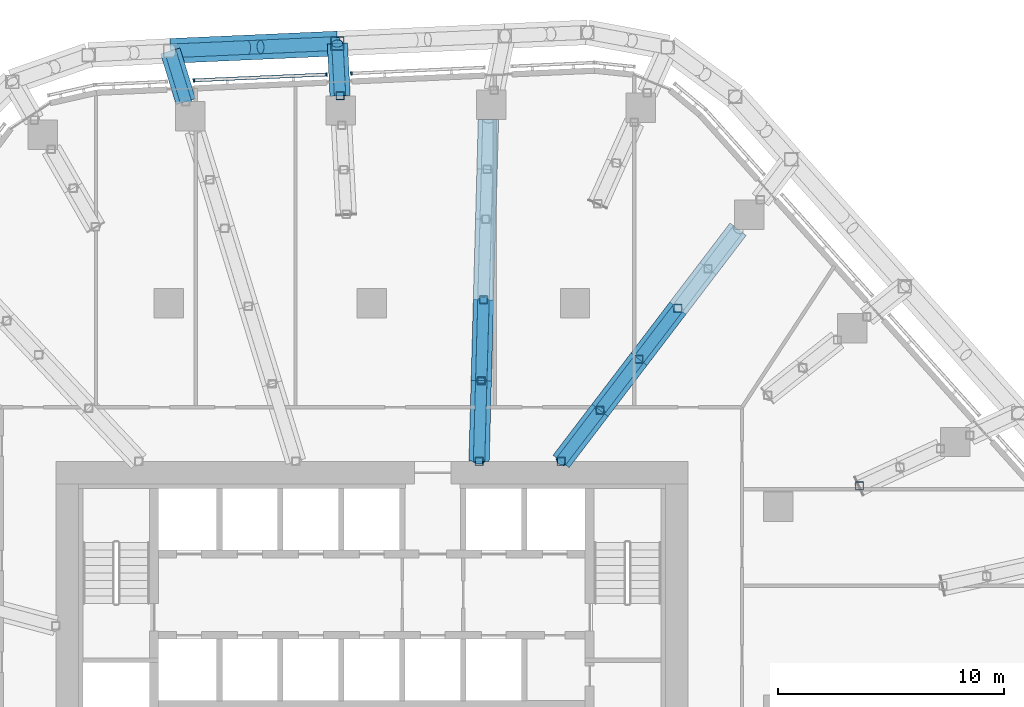
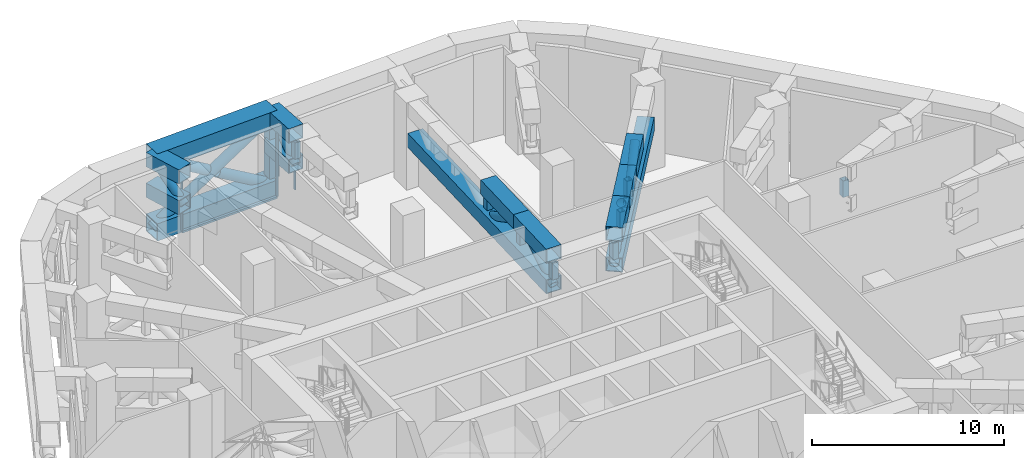
# One storey, part 11 of 30: 37 members, 1 element without a shape of its own.
"""IFC4 building model written with IfcOpenShell, lengths in metres."""

from ifc_helpers import new_model, si_unit, direction, frame, origin, origin_2d, place, context, subcontext, project, spatial, rectangle, hollow_rectangle, hollow_circle, extrude, material, layer, layer_set, material_profile, profile_set, type_object, element, aggregate, save


model = new_model("IFC4")

# Units and contexts
model_context = context("Model", 3, precision=1e-05, world=origin(), true_north=direction((0.0, 1.0)))
body_context = subcontext(model_context, "Body", "Model", "MODEL_VIEW")
ifc_project = project(units=[si_unit("LENGTHUNIT", "METRE"), si_unit("AREAUNIT", "SQUARE_METRE"), si_unit("VOLUMEUNIT", "CUBIC_METRE"), si_unit("PLANEANGLEUNIT", "RADIAN"), si_unit("MASSUNIT", "GRAM", prefix="KILO")], contexts=[model_context])

# Site, building, storey
site_placement = place(None, origin())
site = spatial("IfcSite", under=ifc_project, at=site_placement, CompositionType="ELEMENT")
building_placement = place(site_placement, origin())
building = spatial("IfcBuilding", under=site, at=building_placement, Name="Dongbaek Canopy Tower", CompositionType="ELEMENT")
storey_placement = place(building_placement, frame((0.0, 0.0, 145.60009765625)))
storey = spatial("IfcBuildingStorey", under=building, at=storey_placement, Name="L32", CompositionType="ELEMENT", Elevation=145.60009765625)

# Members
ifc_material_1 = material(Name="Steel S355", Category="steel")
ifc_material_profile_1 = material_profile(ifc_material_1, hollow_circle(Radius=0.304931640625, WallThickness=0.01611328125, at=origin_2d()), Name="BELT BRACE CHS 610.0x16.0 Steel S355")
ifc_profile_set_1 = profile_set([ifc_material_profile_1], Name="Steel S355")
member_type_1 = type_object("IfcMemberType", Name="BELT BRACE CHS 610.0x16.0 Steel S355", PredefinedType="BRACE", material=ifc_profile_set_1)
member_1_placement = place(storey_placement, frame((-8.927001953125, 29.184326171875, 0.5498046875), z_axis=(0.856401430572, 0.03802211055, 0.51490864124), x_axis=(-0.044353840423, 0.999015884178, 0.0)))
element("IfcMember", 1, at=member_1_placement, inside=storey, type_object=member_type_1, Name="BELT:L32:14:D0:0", PredefinedType="BRACE", context=body_context, shape_type="SweptSolid", body=[
    extrude(hollow_circle(Radius=0.304931640625, WallThickness=0.01611328125, at=origin_2d()), origin(), (0.0, 0.0, 1.0), 8.642578125),
])
member_2_placement = place(storey_placement, frame((-1.525390625, 29.512939453125, 0.5498046875), z_axis=(-0.856417816315, -0.03800979625, 0.514882296537), x_axis=(0.044338657023, -0.999016558168, 0.0)))
element("IfcMember", 2, at=member_2_placement, inside=storey, type_object=member_type_1, Name="BELT:L32:14:D0:1", PredefinedType="BRACE", context=body_context, shape_type="SweptSolid", body=[
    extrude(hollow_circle(Radius=0.304931640625, WallThickness=0.01611328125, at=origin_2d()), origin(), (0.0, 0.0, 1.0), 3.975830078125),
])
member_3_placement = place(storey_placement, frame((-8.927001953125, 29.184326171875, 5.0), z_axis=(0.856401447568, 0.038011795213, -0.514909374578), x_axis=(-0.044341830082, 0.999016417335, 0.0)))
element("IfcMember", 3, at=member_3_placement, inside=storey, type_object=member_type_1, Name="BELT:L32:14:D0:2", PredefinedType="BRACE", context=body_context, shape_type="SweptSolid", body=[
    extrude(hollow_circle(Radius=0.304931640625, WallThickness=0.01611328125, at=origin_2d()), origin(), (0.0, 0.0, 1.0), 3.9755859375),
])
ifc_material_2 = material(Name="Steel S355", Category="steel")
ifc_material_profile_2 = material_profile(ifc_material_2, hollow_rectangle(XDim=1.10009765625, YDim=1.10009765625, WallThickness=0.054931640625, at=origin_2d()), Name="BELT CHORD BOX 1100x1100x55 Steel S355")
ifc_profile_set_2 = profile_set([ifc_material_profile_2], Name="Steel S355")
member_type_2 = type_object("IfcMemberType", Name="BELT CHORD BOX 1100x1100x55 Steel S355", PredefinedType="CHORD", material=ifc_profile_set_2)
for number, where, z_axis, x_axis, name in (
    (4, (-8.927001953125, 29.184326171875, 0.5498046875), (0.999015884178, 0.044353840423, 0.0), (-0.044353840423, 0.999015884178, 0.0), "BELT:L32:14:CB0"),
    (5, (-8.927001953125, 29.184326171875, 5.0), (0.999015884178, 0.044353840423, 0.0), (-0.044353840423, 0.999015884178, 0.0), "BELT:L32:14:CT0"),
):
    element("IfcMember", number, at=place(storey_placement, frame(where, z_axis=z_axis, x_axis=x_axis)), inside=storey, type_object=member_type_2, Name=name, PredefinedType="CHORD", context=body_context, shape_type="SweptSolid", body=[
        extrude(hollow_rectangle(XDim=1.10009765625, YDim=1.10009765625, WallThickness=0.054931640625, at=origin_2d()), origin(), (0.0, 0.0, 1.0), 7.408935546875),
    ])
ifc_material_3 = material(Name="Steel S355", Category="steel")
ifc_material_profile_3 = material_profile(ifc_material_3, hollow_rectangle(XDim=0.60009765625, YDim=0.60009765625, WallThickness=0.031982421875, at=origin_2d()), Name="BELT POST BOX 600x600x32 Steel S355")
ifc_profile_set_3 = profile_set([ifc_material_profile_3], Name="Steel S355")
member_type_3 = type_object("IfcMemberType", Name="BELT POST BOX 600x600x32 Steel S355", PredefinedType="POST", material=ifc_profile_set_3)
member_4_placement = place(storey_placement, frame((-1.525390625, 29.512939453125, 1.099853515625), z_axis=(0.0, 0.0, 1.0), x_axis=(1.0, 0.0, 0.0)))
element("IfcMember", 6, at=member_4_placement, inside=storey, type_object=member_type_3, Name="BELT:L32:15:P0", PredefinedType="POST", context=body_context, shape_type="SweptSolid", body=[
    extrude(hollow_rectangle(XDim=0.60009765625, YDim=0.60009765625, WallThickness=0.031982421875, at=origin_2d()), origin(), (0.0, 0.0, 1.0), 3.35009765625),
])
ifc_material_4 = material(Name="Steel S355", Category="steel")
ifc_material_profile_4 = material_profile(ifc_material_4, hollow_circle(Radius=0.25390625, WallThickness=0.01611328125, at=origin_2d()), Name="BRACE CHS 508.0x16.0 Steel S355")
ifc_profile_set_4 = profile_set([ifc_material_profile_4], Name="Steel S355")
member_type_4 = type_object("IfcMemberType", Name="BRACE CHS 508.0x16.0 Steel S355", PredefinedType="BRACE", material=ifc_profile_set_4)
member_5_placement = place(storey_placement, frame((-8.23974609375, 26.93798828125, 3.14990234375), z_axis=(-0.225110121566, 0.735786226832, 0.638704987904), x_axis=(-0.956247435066, -0.292559127237, 0.0)))
element("IfcMember", 7, at=member_5_placement, inside=storey, type_object=member_type_4, Name="TRUSS:L32:14x:D0", PredefinedType="BRACE", context=body_context, shape_type="SweptSolid", body=[
    extrude(hollow_circle(Radius=0.25390625, WallThickness=0.01611328125, at=origin_2d()), origin(), (0.0, 0.0, 1.0), 3.052978515625),
])
member_6_placement = place(storey_placement, frame((-1.405517578125, 27.194091796875, 3.14990234375), z_axis=(-0.039534439605, 0.764761929458, 0.643098918781), x_axis=(-0.998666480804, -0.051626157304, 0.0)))
element("IfcMember", 8, at=member_6_placement, inside=storey, type_object=member_type_4, Name="TRUSS:L32:15x:D0", PredefinedType="BRACE", context=body_context, shape_type="SweptSolid", body=[
    extrude(hollow_circle(Radius=0.25390625, WallThickness=0.01611328125, at=origin_2d()), origin(), (0.0, 0.0, 1.0), 3.0322265625),
])
ifc_material_5 = material(Name="Steel S355", Category="steel")
ifc_material_profile_5 = material_profile(ifc_material_5, hollow_rectangle(XDim=0.89990234375, YDim=0.89990234375, WallThickness=0.044921875, at=origin_2d()), Name="CHORD BOX 900x900x45 Steel S355")
ifc_profile_set_5 = profile_set([ifc_material_profile_5], Name="Steel S355")
member_type_5 = type_object("IfcMemberType", Name="CHORD BOX 900x900x45 Steel S355", PredefinedType="CHORD", material=ifc_profile_set_5)
for number, where, z_axis, x_axis, name in (
    (9, (-8.23974609375, 26.93798828125, 3.14990234375), (-0.292559127237, 0.956247435066, 0.0), (-0.956247435066, -0.292559127237, 0.0), "TRUSS:L32:14x:CB"),
    (10, (-8.23974609375, 26.93798828125, 5.099853515625), (-0.292559127237, 0.956247435066, 0.0), (-0.956247435066, -0.292559127237, 0.0), "TRUSS:L32:14x:CT0"),
):
    element("IfcMember", number, at=place(storey_placement, frame(where, z_axis=z_axis, x_axis=x_axis)), inside=storey, type_object=member_type_5, Name=name, PredefinedType="CHORD", context=body_context, shape_type="SweptSolid", body=[
        extrude(hollow_rectangle(XDim=0.89990234375, YDim=0.89990234375, WallThickness=0.044921875, at=origin_2d()), origin(), (0.0, 0.0, 1.0), 2.34912109375),
    ])
for number, where, z_axis, x_axis, name in (
    (11, (-1.405517578125, 27.194091796875, 3.14990234375), (-0.051626157304, 0.998666480804, 0.0), (-0.998666480804, -0.051626157304, 0.0), "TRUSS:L32:15x:CB"),
    (12, (-1.405517578125, 27.194091796875, 5.099853515625), (-0.051626157304, 0.998666480804, 0.0), (-0.998666480804, -0.051626157304, 0.0), "TRUSS:L32:15x:CT0"),
):
    element("IfcMember", number, at=place(storey_placement, frame(where, z_axis=z_axis, x_axis=x_axis)), inside=storey, type_object=member_type_5, Name=name, PredefinedType="CHORD", context=body_context, shape_type="SweptSolid", body=[
        extrude(hollow_rectangle(XDim=0.89990234375, YDim=0.89990234375, WallThickness=0.044921875, at=origin_2d()), origin(), (0.0, 0.0, 1.0), 2.322021484375),
    ])

# Curtain wall, members
ifc_material_6 = material(Name="Aluminium 6063-T6 pale anodised", Category="aluminium")
ifc_layer = layer(ifc_material_6, 0.14990234375)
ifc_layer_set = layer_set([ifc_layer], Name="CW-7 louvre curtain wall")
curtain_wall_type = type_object("IfcCurtainWallType", Name="CW-7 louvre curtain wall", PredefinedType="NOTDEFINED", material=ifc_layer_set)
curtain_wall_placement = place(storey_placement, origin())
curtain_wall = element("IfcCurtainWall", 13, at=curtain_wall_placement, inside=storey, type_object=curtain_wall_type, Name="CW-7 louvre wall L32 F1", PredefinedType="NOTDEFINED")
ifc_material_7 = material(Name="Aluminium 6063-T6 pale anodised", Category="aluminium")
ifc_material_profile_6 = material_profile(ifc_material_7, rectangle(XDim=0.14990234375, YDim=0.080078125, at=origin_2d()), Name="CW-7 mullion 80 x 150")
ifc_profile_set_6 = profile_set([ifc_material_profile_6], Name="Aluminium 6063-T6 pale anodised")
member_type_6 = type_object("IfcMemberType", Name="CW-7 mullion 80 x 150", PredefinedType="MULLION", material=ifc_profile_set_6)
member_7_placement = place(storey_placement, frame((-0.904052734375, 28.189208984375, 0.77490234375), z_axis=(0.0, 0.0, 1.0), x_axis=(-0.044359879696, 0.999015616031, 0.0)))
member_7 = element("IfcMember", 14, at=member_7_placement, type_object=member_type_6, Name="CW-7 mullion L32 F1.2.2", PredefinedType="MULLION", context=body_context, shape_type="SweptSolid", body=[
    extrude(rectangle(XDim=0.14990234375, YDim=0.080078125, at=origin_2d()), origin(), (0.0, 0.0, 1.0), 4.0),
])
member_8_placement = place(storey_placement, frame((-2.005859375, 28.140380859375, 0.77490234375), z_axis=(0.0, 0.0, 1.0), x_axis=(-0.044359879696, 0.999015616031, 0.0)))
member_8 = element("IfcMember", 15, at=member_8_placement, type_object=member_type_6, Name="CW-7 mullion L32 F1.3.1", PredefinedType="MULLION", context=body_context, shape_type="SweptSolid", body=[
    extrude(rectangle(XDim=0.14990234375, YDim=0.080078125, at=origin_2d()), origin(), (0.0, 0.0, 1.0), 4.0),
])
member_9_placement = place(storey_placement, frame((-7.879638671875, 27.879638671875, 0.77490234375), z_axis=(0.0, 0.0, 1.0), x_axis=(-0.044359879696, 0.999015616031, 0.0)))
member_9 = element("IfcMember", 16, at=member_9_placement, type_object=member_type_6, Name="CW-7 mullion L32 F1.3.2", PredefinedType="MULLION", context=body_context, shape_type="SweptSolid", body=[
    extrude(rectangle(XDim=0.14990234375, YDim=0.080078125, at=origin_2d()), origin(), (0.0, 0.0, 1.0), 4.0),
])
ifc_material_8 = material(Name="Aluminium 6063-T6 pale anodised", Category="aluminium")
ifc_material_profile_7 = material_profile(ifc_material_8, rectangle(XDim=0.14990234375, YDim=0.1201171875, at=origin_2d()), Name="CW-7 transom 120 x 150")
ifc_profile_set_7 = profile_set([ifc_material_profile_7], Name="Aluminium 6063-T6 pale anodised")
member_type_7 = type_object("IfcMemberType", Name="CW-7 transom 120 x 150", PredefinedType="USERDEFINED", material=ifc_profile_set_7)
member_10_placement = place(storey_placement, frame((-2.005859375, 28.140380859375, 0.71484375), z_axis=(-0.999016178985, -0.044347199765, 0.0), x_axis=(0.044347199765, -0.999016178985, 0.0)))
member_10 = element("IfcMember", 17, at=member_10_placement, type_object=member_type_7, Name="CW-7 transom L32 F1.3", ObjectType="TRANSOM", PredefinedType="USERDEFINED", context=body_context, shape_type="SweptSolid", body=[
    extrude(rectangle(XDim=0.14990234375, YDim=0.1201171875, at=origin_2d()), origin(), (0.0, 0.0, 1.0), 5.879638671875),
])
aggregate(curtain_wall, [member_7, member_10, member_8, member_9])

# Members
ifc_material_9 = material(Name="Steel S355", Category="steel")
ifc_material_profile_8 = material_profile(ifc_material_9, hollow_circle(Radius=0.25390625, WallThickness=0.01611328125, at=origin_2d()), Name="OUTRIGGER BRACE CHS 508.0x16.0 Steel S355")
ifc_profile_set_8 = profile_set([ifc_material_profile_8], Name="Steel S355")
member_type_8 = type_object("IfcMemberType", Name="OUTRIGGER BRACE CHS 508.0x16.0 Steel S355", PredefinedType="BRACE", material=ifc_profile_set_8)
member_11_placement = place(storey_placement, frame((4.75, 11.0, 3.14990234375), z_axis=(0.024135131642, 0.877848038736, 0.478330760362), x_axis=(-0.99962226734, 0.027483133698, 0.0)))
element("IfcMember", 18, at=member_11_placement, inside=storey, type_object=member_type_8, Name="TRUSS:L32:16:D0", PredefinedType="BRACE", context=body_context, shape_type="SweptSolid", body=[
    extrude(hollow_circle(Radius=0.25390625, WallThickness=0.01611328125, at=origin_2d()), origin(), (0.0, 0.0, 1.0), 4.07666015625),
])
member_12_placement = place(storey_placement, frame((4.848388671875, 14.57861328125, 5.099853515625), z_axis=(0.024133862839, 0.877861775083, -0.478305614134), x_axis=(-0.999622318845, 0.027481260283, 0.0)))
element("IfcMember", 19, at=member_12_placement, inside=storey, type_object=member_type_8, Name="TRUSS:L32:16:D1", PredefinedType="BRACE", context=body_context, shape_type="SweptSolid", body=[
    extrude(hollow_circle(Radius=0.25390625, WallThickness=0.01611328125, at=origin_2d()), origin(), (0.0, 0.0, 1.0), 4.076904296875),
])
member_13_placement = place(storey_placement, frame((8.3837890625, 11.0, 3.14990234375), z_axis=(0.500111601638, 0.656131137803, 0.565137430996), x_axis=(-0.795313575905, 0.606198248085, 0.0)))
element("IfcMember", 20, at=member_13_placement, inside=storey, type_object=member_type_8, Name="TRUSS:L32:18:D0", PredefinedType="BRACE", context=body_context, shape_type="SweptSolid", body=[
    extrude(hollow_circle(Radius=0.25390625, WallThickness=0.01611328125, at=origin_2d()), origin(), (0.0, 0.0, 1.0), 3.450439453125),
])
member_14_placement = place(storey_placement, frame((10.109375, 13.263916015625, 5.099853515625), z_axis=(0.50005853885, 0.656154355561, -0.565157428865), x_axis=(-0.795354925794, 0.606143994456, 0.0)))
element("IfcMember", 21, at=member_14_placement, inside=storey, type_object=member_type_8, Name="TRUSS:L32:18:D1", PredefinedType="BRACE", context=body_context, shape_type="SweptSolid", body=[
    extrude(hollow_circle(Radius=0.25390625, WallThickness=0.01611328125, at=origin_2d()), origin(), (0.0, 0.0, 1.0), 3.4501953125),
])
member_15_placement = place(storey_placement, frame((11.834716796875, 15.52783203125, 3.14990234375), z_axis=(0.500111601638, 0.656131137803, 0.565137430996), x_axis=(-0.795313575905, 0.606198248085, 0.0)))
element("IfcMember", 22, at=member_15_placement, inside=storey, type_object=member_type_8, Name="TRUSS:L32:18:D2", PredefinedType="BRACE", context=body_context, shape_type="SweptSolid", body=[
    extrude(hollow_circle(Radius=0.25390625, WallThickness=0.01611328125, at=origin_2d()), origin(), (0.0, 0.0, 1.0), 3.450439453125),
])
ifc_material_10 = material(Name="Steel S355", Category="steel")
ifc_material_profile_9 = material_profile(ifc_material_10, hollow_rectangle(XDim=0.89990234375, YDim=0.89990234375, WallThickness=0.044921875, at=origin_2d()), Name="OUTRIGGER CHORD BOX 900x900x45 Steel S355")
ifc_profile_set_9 = profile_set([ifc_material_profile_9], Name="Steel S355")
member_type_9 = type_object("IfcMemberType", Name="OUTRIGGER CHORD BOX 900x900x45 Steel S355", PredefinedType="CHORD", material=ifc_profile_set_9)
member_16_placement = place(storey_placement, frame((4.75, 11.0, 3.14990234375), z_axis=(0.027485341272, 0.999622206644, 0.0), x_axis=(-0.999622206644, 0.027485341272, 0.0)))
element("IfcMember", 23, at=member_16_placement, inside=storey, type_object=member_type_9, Name="TRUSS:L32:16:CB", PredefinedType="CHORD", context=body_context, shape_type="SweptSolid", body=[
    extrude(hollow_rectangle(XDim=0.89990234375, YDim=0.89990234375, WallThickness=0.044921875, at=origin_2d()), origin(), (0.0, 0.0, 1.0), 15.153564453125),
])
member_17_placement = place(storey_placement, frame((4.75, 11.0, 5.099853515625), z_axis=(0.027483133698, 0.99962226734, 0.0), x_axis=(-0.99962226734, 0.027483133698, 0.0)))
element("IfcMember", 24, at=member_17_placement, inside=storey, type_object=member_type_9, Name="TRUSS:L32:16:CT0", PredefinedType="CHORD", context=body_context, shape_type="SweptSolid", body=[
    extrude(hollow_rectangle(XDim=0.89990234375, YDim=0.89990234375, WallThickness=0.044921875, at=origin_2d()), origin(), (0.0, 0.0, 1.0), 3.580078125),
])
member_18_placement = place(storey_placement, frame((4.848388671875, 14.57861328125, 5.099853515625), z_axis=(0.027481260283, 0.999622318845, 0.0), x_axis=(-0.999622318845, 0.027481260283, 0.0)))
element("IfcMember", 25, at=member_18_placement, inside=storey, type_object=member_type_9, Name="TRUSS:L32:16:CT1", PredefinedType="CHORD", context=body_context, shape_type="SweptSolid", body=[
    extrude(hollow_rectangle(XDim=0.89990234375, YDim=0.89990234375, WallThickness=0.044921875, at=origin_2d()), origin(), (0.0, 0.0, 1.0), 3.580322265625),
])
member_19_placement = place(storey_placement, frame((8.3837890625, 11.0, 3.14990234375), z_axis=(0.606177447589, 0.79532942988, 0.0), x_axis=(-0.79532942988, 0.606177447589, 0.0)))
element("IfcMember", 26, at=member_19_placement, inside=storey, type_object=member_type_9, Name="TRUSS:L32:18:CB", PredefinedType="CHORD", context=body_context, shape_type="SweptSolid", body=[
    extrude(hollow_rectangle(XDim=0.89990234375, YDim=0.89990234375, WallThickness=0.044921875, at=origin_2d()), origin(), (0.0, 0.0, 1.0), 12.931640625),
])
member_20_placement = place(storey_placement, frame((8.3837890625, 11.0, 5.099853515625), z_axis=(0.606198248085, 0.795313575905, 0.0), x_axis=(-0.795313575905, 0.606198248085, 0.0)))
element("IfcMember", 27, at=member_20_placement, inside=storey, type_object=member_type_9, Name="TRUSS:L32:18:CT0", PredefinedType="CHORD", context=body_context, shape_type="SweptSolid", body=[
    extrude(hollow_rectangle(XDim=0.89990234375, YDim=0.89990234375, WallThickness=0.044921875, at=origin_2d()), origin(), (0.0, 0.0, 1.0), 2.8466796875),
])
member_21_placement = place(storey_placement, frame((10.109375, 13.263916015625, 5.099853515625), z_axis=(0.606143994456, 0.795354925794, 0.0), x_axis=(-0.795354925794, 0.606143994456, 0.0)))
element("IfcMember", 28, at=member_21_placement, inside=storey, type_object=member_type_9, Name="TRUSS:L32:18:CT1", PredefinedType="CHORD", context=body_context, shape_type="SweptSolid", body=[
    extrude(hollow_rectangle(XDim=0.89990234375, YDim=0.89990234375, WallThickness=0.044921875, at=origin_2d()), origin(), (0.0, 0.0, 1.0), 2.846435546875),
])
member_22_placement = place(storey_placement, frame((11.834716796875, 15.52783203125, 5.099853515625), z_axis=(0.606198248085, 0.795313575905, 0.0), x_axis=(-0.795313575905, 0.606198248085, 0.0)))
element("IfcMember", 29, at=member_22_placement, inside=storey, type_object=member_type_9, Name="TRUSS:L32:18:CT2", PredefinedType="CHORD", context=body_context, shape_type="SweptSolid", body=[
    extrude(hollow_rectangle(XDim=0.89990234375, YDim=0.89990234375, WallThickness=0.044921875, at=origin_2d()), origin(), (0.0, 0.0, 1.0), 2.8466796875),
])
ifc_material_11 = material(Name="Steel S355", Category="steel")
ifc_material_profile_10 = material_profile(ifc_material_11, hollow_rectangle(XDim=0.35009765625, YDim=0.35009765625, WallThickness=0.01611328125, at=origin_2d()), Name="OUTRIGGER POST SHS 350x350x16 Steel S355")
ifc_profile_set_10 = profile_set([ifc_material_profile_10], Name="Steel S355")
member_type_10 = type_object("IfcMemberType", Name="OUTRIGGER POST SHS 350x350x16 Steel S355", PredefinedType="POST", material=ifc_profile_set_10)
for number, where, z_axis, x_axis, name in (
    (30, (4.75, 11.0, 3.599853515625), (0.0, 0.0, 1.0), (1.0, 0.0, 0.0), "TRUSS:L32:16:P0"),
    (31, (4.848388671875, 14.57861328125, 3.599853515625), (0.0, 0.0, 1.0), (1.0, 0.0, 0.0), "TRUSS:L32:16:P1"),
    (32, (4.94677734375, 18.157470703125, 3.599853515625), (0.0, 0.0, 1.0), (1.0, 0.0, 0.0), "TRUSS:L32:16:P2"),
    (33, (8.3837890625, 11.0, 3.599853515625), (0.0, 0.0, 1.0), (1.0, 0.0, 0.0), "TRUSS:L32:18:P0"),
    (34, (10.109375, 13.263916015625, 3.599853515625), (0.0, 0.0, 1.0), (1.0, 0.0, 0.0), "TRUSS:L32:18:P1"),
    (35, (11.834716796875, 15.52783203125, 3.599853515625), (0.0, 0.0, 1.0), (1.0, 0.0, 0.0), "TRUSS:L32:18:P2"),
    (36, (13.560302734375, 17.791748046875, 3.599853515625), (0.0, 0.0, 1.0), (1.0, 0.0, 0.0), "TRUSS:L32:18:P3"),
):
    element("IfcMember", number, at=place(storey_placement, frame(where, z_axis=z_axis, x_axis=x_axis)), inside=storey, type_object=member_type_10, Name=name, PredefinedType="POST", context=body_context, shape_type="SweptSolid", body=[
        extrude(hollow_rectangle(XDim=0.35009765625, YDim=0.35009765625, WallThickness=0.01611328125, at=origin_2d()), origin(), (0.0, 0.0, 1.0), 1.050048828125),
    ])
ifc_material_12 = material(Name="Steel S355", Category="steel")
ifc_material_profile_11 = material_profile(ifc_material_12, hollow_rectangle(XDim=0.35009765625, YDim=0.35009765625, WallThickness=0.01611328125, at=origin_2d()), Name="POST SHS 350x350x16 Steel S355")
ifc_profile_set_11 = profile_set([ifc_material_profile_11], Name="Steel S355")
member_type_11 = type_object("IfcMemberType", Name="POST SHS 350x350x16 Steel S355", PredefinedType="POST", material=ifc_profile_set_11)
for number, where, z_axis, x_axis, name in (
    (37, (21.601318359375, 9.915771484375, 3.599853515625), (0.0, 0.0, 1.0), (1.0, 0.0, 0.0), "TRUSS:L32:20:P0"),
    (38, (-1.405517578125, 27.194091796875, 3.599853515625), (0.0, 0.0, 1.0), (1.0, 0.0, 0.0), "TRUSS:L32:15x:P0"),
):
    element("IfcMember", number, at=place(storey_placement, frame(where, z_axis=z_axis, x_axis=x_axis)), inside=storey, type_object=member_type_11, Name=name, PredefinedType="POST", context=body_context, shape_type="SweptSolid", body=[
        extrude(hollow_rectangle(XDim=0.35009765625, YDim=0.35009765625, WallThickness=0.01611328125, at=origin_2d()), origin(), (0.0, 0.0, 1.0), 1.050048828125),
    ])

save(model, "model.ifc")
